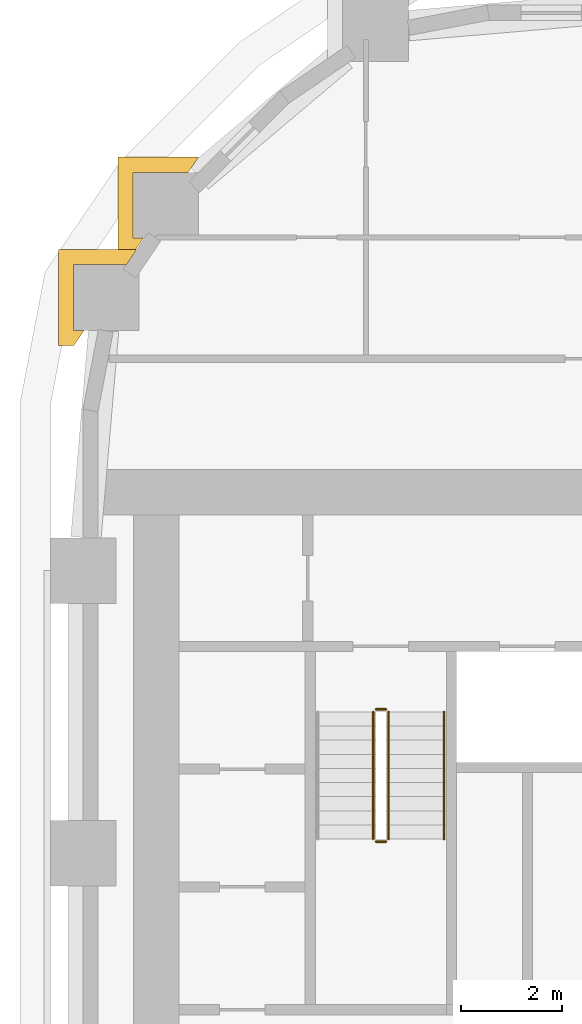
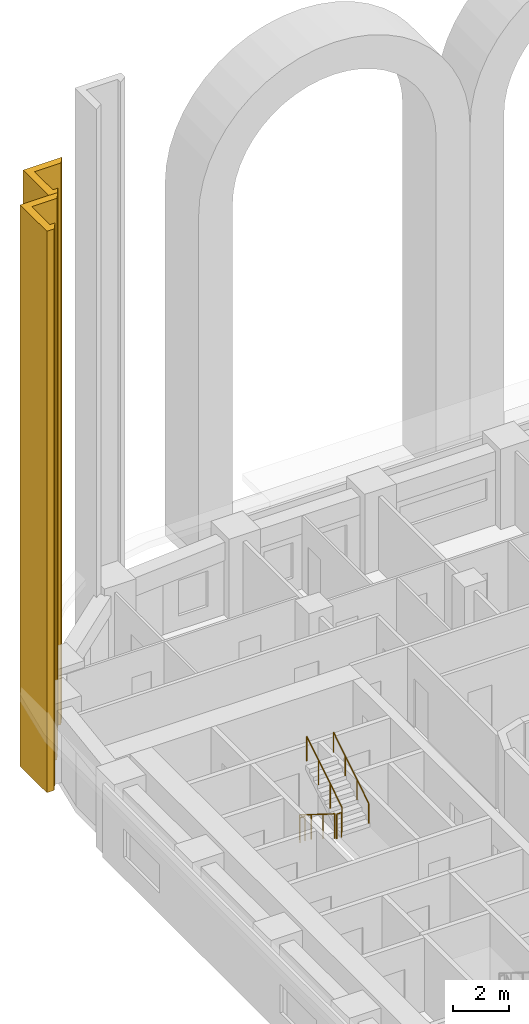
# One storey, part 17 of 19: 5 railings, 2 coverings.
"""IFC4 building model written with IfcOpenShell, lengths in metres."""

from ifc_helpers import new_model, si_unit, direction, frame, origin, origin_2d, place, context, subcontext, project, spatial, polyline, circle, outline, extrude, material, layer, layer_set, type_object, element, save


model = new_model("IFC4")

# Units and contexts
model_context = context("Model", 3, precision=1e-05, world=origin(), true_north=direction((0.0, 1.0)))
body_context = subcontext(model_context, "Body", "Model", "MODEL_VIEW")
ifc_project = project(units=[si_unit("LENGTHUNIT", "METRE"), si_unit("AREAUNIT", "SQUARE_METRE"), si_unit("VOLUMEUNIT", "CUBIC_METRE"), si_unit("PLANEANGLEUNIT", "RADIAN"), si_unit("MASSUNIT", "GRAM", prefix="KILO")], contexts=[model_context])

# Site, building, storey
site_placement = place(None, origin())
site = spatial("IfcSite", under=ifc_project, at=site_placement, CompositionType="ELEMENT")
building_placement = place(site_placement, origin())
building = spatial("IfcBuilding", under=site, at=building_placement, Name="Kiln Ring Residences", CompositionType="ELEMENT")
storey_placement = place(building_placement, frame((0.0, 0.0, 83.300048828125)))
storey = spatial("IfcBuildingStorey", under=building, at=storey_placement, Name="L20", CompositionType="ELEMENT", Elevation=83.300048828125)

# Railings
ifc_material_1 = material(Name="Stainless steel", Category="steel")
railing_type_1 = type_object("IfcRailingType", Name="CORE-STAIR-GUARD", PredefinedType="GUARDRAIL", material=ifc_material_1)
railing_1_placement = place(storey_placement, frame((-22.25, 8.39990234375, 0.175048828125)))
element("IfcRailing", 1, at=railing_1_placement, inside=storey, type_object=railing_type_1, Name="L20 W-STN stair guard 1", PredefinedType="GUARDRAIL", context=body_context, shape_type="SweptSolid", body=[
    extrude(circle(Radius=0.02392578125, at=origin_2d()), frame((0.0, 0.0, 1.076171875), z_axis=(0.0, -0.848007534815, 0.529984170421), x_axis=(1.0, 0.0, 0.0)), (0.0, 0.0, 1.0), 2.9716796875),
    extrude(circle(Radius=0.02099609375, at=origin_2d()), origin(), (0.0, 0.0, 1.0), 1.052001953125),
    extrude(circle(Radius=0.02099609375, at=origin_2d()), frame((0.0, -0.840087890625, 0.52490234375)), (0.0, 0.0, 1.0), 1.052001953125),
    extrude(circle(Radius=0.02099609375, at=origin_2d()), frame((0.0, -1.679931640625, 1.050048828125)), (0.0, 0.0, 1.0), 1.052001953125),
    extrude(circle(Radius=0.02099609375, at=origin_2d()), frame((0.0, -2.52001953125, 1.574951171875)), (0.0, 0.0, 1.0), 1.052001953125),
])
railing_2_placement = place(storey_placement, frame((-22.199951171875, 5.830078125, 1.75)))
element("IfcRailing", 2, at=railing_2_placement, inside=storey, type_object=railing_type_1, Name="L20 W-STN stair guard 2", PredefinedType="GUARDRAIL", context=body_context, shape_type="SweptSolid", body=[
    extrude(circle(Radius=0.02392578125, at=origin_2d()), frame((0.0, 0.0, 1.076171875), z_axis=(1.0, 0.0, 0.0), x_axis=(0.0, 1.0, 0.0)), (0.0, 0.0, 1.0), 0.199951171875),
    extrude(circle(Radius=0.02099609375, at=origin_2d()), origin(), (0.0, 0.0, 1.0), 1.052001953125),
    extrude(circle(Radius=0.02099609375, at=origin_2d()), frame((0.199951171875, 0.0, 0.0)), (0.0, 0.0, 1.0), 1.052001953125),
])
railing_3_placement = place(storey_placement, frame((-21.949951171875, 5.8798828125, 1.925048828125)))
element("IfcRailing", 3, at=railing_3_placement, inside=storey, type_object=railing_type_1, Name="L20 W-STN stair guard 3", PredefinedType="GUARDRAIL", context=body_context, shape_type="SweptSolid", body=[
    extrude(circle(Radius=0.02392578125, at=origin_2d()), frame((0.0, 0.0, 1.076171875), z_axis=(0.0, 0.848007534815, 0.529984170421), x_axis=(-1.0, 0.0, 0.0)), (0.0, 0.0, 1.0), 2.9716796875),
    extrude(circle(Radius=0.02099609375, at=origin_2d()), origin(), (0.0, 0.0, 1.0), 1.052001953125),
    extrude(circle(Radius=0.02099609375, at=origin_2d()), frame((0.0, 0.840087890625, 0.52490234375)), (0.0, 0.0, 1.0), 1.052001953125),
    extrude(circle(Radius=0.02099609375, at=origin_2d()), frame((0.0, 1.679931640625, 1.050048828125)), (0.0, 0.0, 1.0), 1.052001953125),
    extrude(circle(Radius=0.02099609375, at=origin_2d()), frame((0.0, 2.52001953125, 1.574951171875)), (0.0, 0.0, 1.0), 1.052001953125),
])
railing_4_placement = place(storey_placement, frame((-22.199951171875, 8.449951171875, 0.0)))
element("IfcRailing", 4, at=railing_4_placement, inside=storey, type_object=railing_type_1, Name="L20 W-STN stair guard 4", PredefinedType="GUARDRAIL", context=body_context, shape_type="SweptSolid", body=[
    extrude(circle(Radius=0.02392578125, at=origin_2d()), frame((0.0, 0.0, 1.076171875), z_axis=(1.0, 0.0, 0.0), x_axis=(0.0, 1.0, 0.0)), (0.0, 0.0, 1.0), 0.199951171875),
    extrude(circle(Radius=0.02099609375, at=origin_2d()), origin(), (0.0, 0.0, 1.0), 1.052001953125),
    extrude(circle(Radius=0.02099609375, at=origin_2d()), frame((0.199951171875, 0.0, 0.0)), (0.0, 0.0, 1.0), 1.052001953125),
])
ifc_material_2 = material(Name="Stainless steel", Category="steel")
railing_type_2 = type_object("IfcRailingType", Name="CORE-STAIR-HANDRAIL", PredefinedType="HANDRAIL", material=ifc_material_2)
railing_5_placement = place(storey_placement, frame((-20.85009765625, 5.8798828125, 1.925048828125)))
element("IfcRailing", 5, at=railing_5_placement, inside=storey, type_object=railing_type_2, Name="L20 W-STN stair handrail 2", PredefinedType="HANDRAIL", context=body_context, shape_type="SweptSolid", body=[
    extrude(circle(Radius=0.02392578125, at=origin_2d()), frame((0.0, 0.0, 0.8759765625), z_axis=(0.0, 0.848007534815, 0.529984170421), x_axis=(-1.0, 0.0, 0.0)), (0.0, 0.0, 1.0), 2.9716796875),
    extrude(circle(Radius=0.02099609375, at=origin_2d()), origin(), (0.0, 0.0, 1.0), 0.851806640625),
    extrude(circle(Radius=0.02099609375, at=origin_2d()), frame((0.0, 0.840087890625, 0.52490234375)), (0.0, 0.0, 1.0), 0.851806640625),
    extrude(circle(Radius=0.02099609375, at=origin_2d()), frame((0.0, 1.679931640625, 1.050048828125)), (0.0, 0.0, 1.0), 0.851806640625),
    extrude(circle(Radius=0.02099609375, at=origin_2d()), frame((0.0, 2.52001953125, 1.574951171875)), (0.0, 0.0, 1.0), 0.851806640625),
])

# Coverings
ifc_material_3 = material(Name="Brick masonry, dark clay brick", Category="masonry")
ifc_layer = layer(ifc_material_3, 0.300048828125)
ifc_layer_set = layer_set([ifc_layer], Name="PIER CLADDING 300")
covering_type = type_object("IfcCoveringType", Name="PIER CLADDING 300", PredefinedType="CLADDING", material=ifc_layer_set)
placement = place(storey_placement, origin())
element("IfcCovering", 6, at=placement, inside=storey, type_object=covering_type, Name="PIER CLADDING L20-L26", PredefinedType="CLADDING", context=body_context, shape_type="SweptSolid", body=[
    extrude(outline(polyline([(-25.714111328125, 19.39013671875), (-27.309814453125, 19.39013671875), (-27.309814453125, 17.490234375), (-27.00537109375, 17.490234375), (-26.801513671875, 17.790283203125), (-27.009765625, 17.790283203125), (-27.009765625, 19.090087890625), (-25.91796875, 19.090087890625), (-25.714111328125, 19.39013671875)])), origin(), (0.0, 0.0, 1.0), 24.5),
])
element("IfcCovering", 7, at=placement, inside=storey, type_object=covering_type, Name="PIER CLADDING L20-L26", PredefinedType="CLADDING", context=body_context, shape_type="SweptSolid", body=[
    extrude(outline(polyline([(-26.940673828125, 17.55859375), (-28.488037109375, 17.55859375), (-28.488037109375, 15.65869140625), (-28.18359375, 15.65869140625), (-27.97998046875, 15.958740234375), (-28.18798828125, 15.958740234375), (-28.18798828125, 17.2587890625), (-27.144287109375, 17.2587890625), (-26.940673828125, 17.55859375)])), origin(), (0.0, 0.0, 1.0), 24.5),
])

save(model, "model.ifc")
